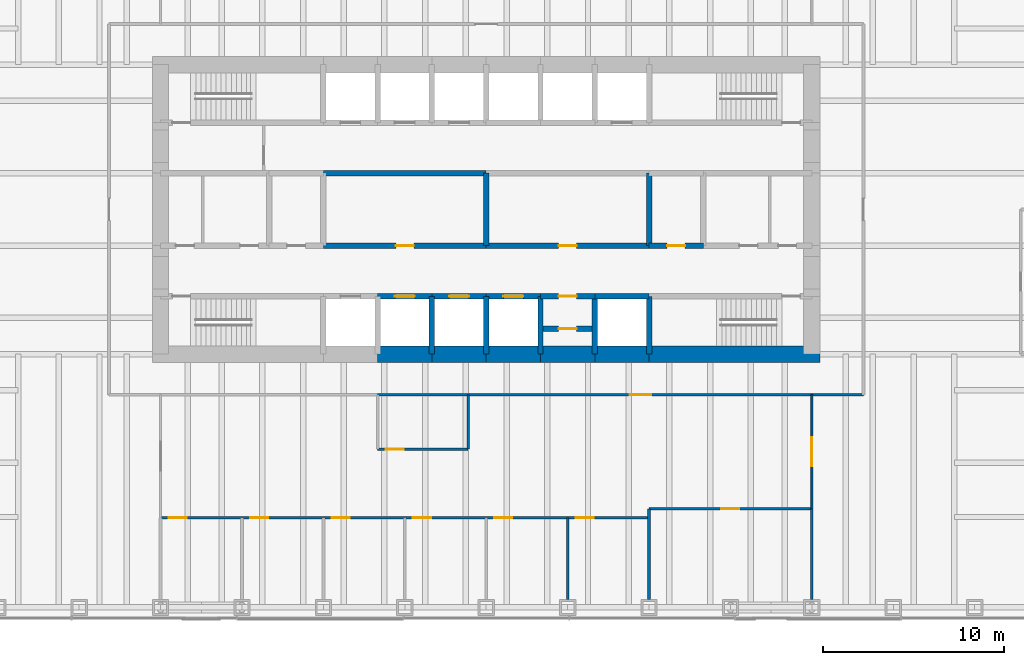
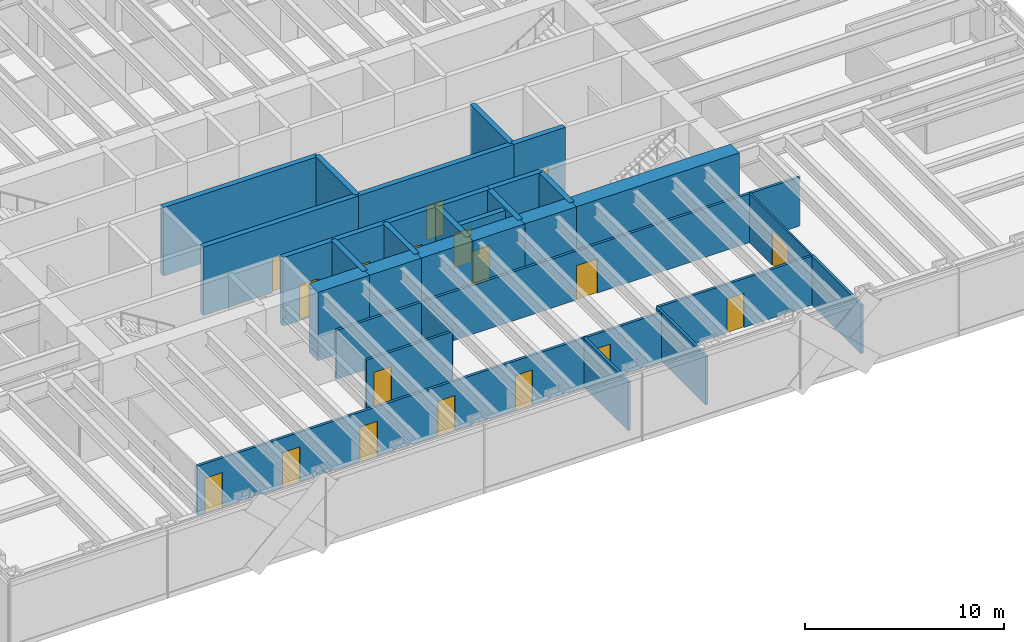
# One storey, part 12 of 15: 33 walls, 18 doors, 18 openings.
"""IFC4 building model written with IfcOpenShell, lengths in metres."""

from ifc_helpers import new_model, si_unit, direction, frame, frame_2d, origin, place, context, subcontext, project, spatial, rectangle, extrude, material, layer, layer_set, type_object, element, fill, save


model = new_model("IFC4")

# Units and contexts
model_context = context("Model", 3, precision=1e-05, world=origin(), true_north=direction((0.0, 1.0)))
body_context = subcontext(model_context, "Body", "Model", "MODEL_VIEW")
ifc_project = project(units=[si_unit("LENGTHUNIT", "METRE"), si_unit("AREAUNIT", "SQUARE_METRE"), si_unit("VOLUMEUNIT", "CUBIC_METRE"), si_unit("PLANEANGLEUNIT", "RADIAN"), si_unit("MASSUNIT", "GRAM", prefix="KILO")], contexts=[model_context])

# Site, building, storey
site_placement = place(None, origin())
site = spatial("IfcSite", under=ifc_project, at=site_placement, CompositionType="ELEMENT")
building_placement = place(site_placement, origin())
building = spatial("IfcBuilding", under=site, at=building_placement, Name="Rheinbord Bourse Tower", CompositionType="ELEMENT")
storey_placement = place(building_placement, frame((0.0, 0.0, 108.89990234375)))
storey = spatial("IfcBuildingStorey", under=building, at=storey_placement, Name="L23", CompositionType="ELEMENT", Elevation=108.89990234375)

# Wall, opening, door
ifc_material_1 = material(Name="Concrete C50/60", Category="concrete")
ifc_layer_1 = layer(ifc_material_1, 0.300048828125)
ifc_layer_set_1 = layer_set([ifc_layer_1], Name="CORE INNER WALL 300")
wall_type_1 = type_object("IfcWallType", Name="CORE INNER WALL 300", PredefinedType="SOLIDWALL", material=ifc_layer_set_1)
wall_1_placement = place(storey_placement, frame((30.0, 19.199951171875, 0.0), z_axis=(0.0, 0.0, 1.0), x_axis=(1.0, 0.0, 0.0)))
wall_1 = element("IfcWall", 1, at=wall_1_placement, inside=storey, type_object=wall_type_1, Name="Core wall A3 L23", PredefinedType="SOLIDWALL", context=body_context, shape_type="SweptSolid", body=[
    extrude(rectangle(XDim=3.0, YDim=0.300048828125, at=frame_2d((1.5, 0.0))), origin(), (0.0, 0.0, 1.0), 4.2001953125),
])
opening_1_placement = place(wall_1_placement, frame((0.949951171875, 0.0, 0.0)))
opening_1 = element("IfcOpeningElement", 2, at=opening_1_placement, cuts=wall_1, Name="Opening PB1", PredefinedType="OPENING", context=body_context, shape_type="SweptSolid", body=[
    extrude(rectangle(XDim=1.10009765625, YDim=2.199951171875, at=frame_2d((0.550048828125, 1.10009765625))), frame((0.0, 0.159912109375, 0.0), z_axis=(0.0, -1.0, 0.0), x_axis=(1.0, 0.0, 0.0)), (0.0, 0.0, 1.0), 0.320068359375),
])
ifc_material_2 = material(Name="Steel landing door", Category="steel")
door_type_1 = type_object("IfcDoorType", Name="LIFT LANDING DOOR 1100", OperationType="DOUBLE_DOOR_SLIDING", PredefinedType="USERDEFINED", material=ifc_material_2)
door_1_placement = place(opening_1_placement, origin())
door_1 = element("IfcDoor", 3, at=door_1_placement, inside=storey, type_object=door_type_1, Name="Lift landing door PB1 L23", ObjectType="LIFT LANDING DOOR", OperationType="DOUBLE_DOOR_SLIDING", OverallHeight=2.199951171875, OverallWidth=1.10009765625, PredefinedType="USERDEFINED", context=body_context, shape_type="SweptSolid", body=[
    extrude(rectangle(XDim=1.10009765625, YDim=2.199951171875, at=frame_2d((0.550048828125, 1.10009765625))), frame((0.0, 0.02490234375, 0.0), z_axis=(0.0, -1.0, 0.0), x_axis=(1.0, 0.0, 0.0)), (0.0, 0.0, 1.0), 0.050048828125),
])
fill(opening_1, door_1)

wall_2_placement = place(storey_placement, frame((33.0, 19.199951171875, 0.0), z_axis=(0.0, 0.0, 1.0), x_axis=(1.0, 0.0, 0.0)))
wall_2 = element("IfcWall", 4, at=wall_2_placement, inside=storey, type_object=wall_type_1, Name="Core wall A4 L23", PredefinedType="SOLIDWALL", context=body_context, shape_type="SweptSolid", body=[
    extrude(rectangle(XDim=3.0, YDim=0.300048828125, at=frame_2d((1.5, 0.0))), origin(), (0.0, 0.0, 1.0), 4.2001953125),
])
opening_2_placement = place(wall_2_placement, frame((0.949951171875, 0.0, 0.0)))
opening_2 = element("IfcOpeningElement", 5, at=opening_2_placement, cuts=wall_2, Name="Opening PB2", PredefinedType="OPENING", context=body_context, shape_type="SweptSolid", body=[
    extrude(rectangle(XDim=1.10009765625, YDim=2.199951171875, at=frame_2d((0.550048828125, 1.10009765625))), frame((0.0, 0.159912109375, 0.0), z_axis=(0.0, -1.0, 0.0), x_axis=(1.0, 0.0, 0.0)), (0.0, 0.0, 1.0), 0.320068359375),
])
door_2_placement = place(opening_2_placement, origin())
door_2 = element("IfcDoor", 6, at=door_2_placement, inside=storey, type_object=door_type_1, Name="Lift landing door PB2 L23", ObjectType="LIFT LANDING DOOR", OperationType="DOUBLE_DOOR_SLIDING", OverallHeight=2.199951171875, OverallWidth=1.10009765625, PredefinedType="USERDEFINED", context=body_context, shape_type="SweptSolid", body=[
    extrude(rectangle(XDim=1.10009765625, YDim=2.199951171875, at=frame_2d((0.550048828125, 1.10009765625))), frame((0.0, 0.02490234375, 0.0), z_axis=(0.0, -1.0, 0.0), x_axis=(1.0, 0.0, 0.0)), (0.0, 0.0, 1.0), 0.050048828125),
])
fill(opening_2, door_2)

wall_3_placement = place(storey_placement, frame((36.0, 19.199951171875, 0.0), z_axis=(0.0, 0.0, 1.0), x_axis=(1.0, 0.0, 0.0)))
wall_3 = element("IfcWall", 7, at=wall_3_placement, inside=storey, type_object=wall_type_1, Name="Core wall A5 L23", PredefinedType="SOLIDWALL", context=body_context, shape_type="SweptSolid", body=[
    extrude(rectangle(XDim=3.0, YDim=0.300048828125, at=frame_2d((1.5, 0.0))), origin(), (0.0, 0.0, 1.0), 4.2001953125),
])
opening_3_placement = place(wall_3_placement, frame((0.949951171875, 0.0, 0.0)))
opening_3 = element("IfcOpeningElement", 8, at=opening_3_placement, cuts=wall_3, Name="Opening PB3", PredefinedType="OPENING", context=body_context, shape_type="SweptSolid", body=[
    extrude(rectangle(XDim=1.10009765625, YDim=2.199951171875, at=frame_2d((0.550048828125, 1.10009765625))), frame((0.0, 0.159912109375, 0.0), z_axis=(0.0, -1.0, 0.0), x_axis=(1.0, 0.0, 0.0)), (0.0, 0.0, 1.0), 0.320068359375),
])
door_3_placement = place(opening_3_placement, origin())
door_3 = element("IfcDoor", 9, at=door_3_placement, inside=storey, type_object=door_type_1, Name="Lift landing door PB3 L23", ObjectType="LIFT LANDING DOOR", OperationType="DOUBLE_DOOR_SLIDING", OverallHeight=2.199951171875, OverallWidth=1.10009765625, PredefinedType="USERDEFINED", context=body_context, shape_type="SweptSolid", body=[
    extrude(rectangle(XDim=1.10009765625, YDim=2.199951171875, at=frame_2d((0.550048828125, 1.10009765625))), frame((0.0, 0.02490234375, 0.0), z_axis=(0.0, -1.0, 0.0), x_axis=(1.0, 0.0, 0.0)), (0.0, 0.0, 1.0), 0.050048828125),
])
fill(opening_3, door_3)

wall_4_placement = place(storey_placement, frame((39.0, 19.199951171875, 0.0), z_axis=(0.0, 0.0, 1.0), x_axis=(1.0, 0.0, 0.0)))
wall_4 = element("IfcWall", 10, at=wall_4_placement, inside=storey, type_object=wall_type_1, Name="Core wall A6 L23", PredefinedType="SOLIDWALL", context=body_context, shape_type="SweptSolid", body=[
    extrude(rectangle(XDim=3.0, YDim=0.300048828125, at=frame_2d((1.5, 0.0))), origin(), (0.0, 0.0, 1.0), 4.2001953125),
])
opening_4_placement = place(wall_4_placement, frame((1.0, 0.0, 0.0)))
opening_4 = element("IfcOpeningElement", 11, at=opening_4_placement, cuts=wall_4, Name="Opening 23R8", PredefinedType="OPENING", context=body_context, shape_type="SweptSolid", body=[
    extrude(rectangle(XDim=1.0, YDim=2.10009765625, at=frame_2d((0.5, 1.050048828125))), frame((0.0, 0.159912109375, 0.0), z_axis=(0.0, -1.0, 0.0), x_axis=(1.0, 0.0, 0.0)), (0.0, 0.0, 1.0), 0.320068359375),
])
ifc_material_3 = material(Name="Steel door", Category="steel")
door_type_2 = type_object("IfcDoorType", Name="DOOR 1000 EI30", OperationType="SINGLE_SWING_LEFT", PredefinedType="DOOR", material=ifc_material_3)
door_4_placement = place(opening_4_placement, origin())
door_4 = element("IfcDoor", 12, at=door_4_placement, inside=storey, type_object=door_type_2, Name="IT room door L23", OperationType="SINGLE_SWING_LEFT", OverallHeight=2.10009765625, OverallWidth=1.0, PredefinedType="DOOR", context=body_context, shape_type="SweptSolid", body=[
    extrude(rectangle(XDim=1.0, YDim=2.10009765625, at=frame_2d((0.5, 1.050048828125))), frame((0.0, 0.02490234375, 0.0), z_axis=(0.0, -1.0, 0.0), x_axis=(1.0, 0.0, 0.0)), (0.0, 0.0, 1.0), 0.050048828125),
])
fill(opening_4, door_4)

# Wall
wall_5_placement = place(storey_placement, frame((42.0, 19.199951171875, 0.0), z_axis=(0.0, 0.0, 1.0), x_axis=(1.0, 0.0, 0.0)))
element("IfcWall", 13, at=wall_5_placement, inside=storey, type_object=wall_type_1, Name="Core wall A7 L23", PredefinedType="SOLIDWALL", context=body_context, shape_type="SweptSolid", body=[
    extrude(rectangle(XDim=3.0, YDim=0.300048828125, at=frame_2d((1.5, 0.0))), origin(), (0.0, 0.0, 1.0), 4.2001953125),
])

# Wall, opening, door
wall_6_placement = place(storey_placement, frame((27.0, 22.0, 0.0), z_axis=(0.0, 0.0, 1.0), x_axis=(1.0, 0.0, 0.0)))
wall_6 = element("IfcWall", 14, at=wall_6_placement, inside=storey, type_object=wall_type_1, Name="Core wall C3 L23", PredefinedType="SOLIDWALL", context=body_context, shape_type="SweptSolid", body=[
    extrude(rectangle(XDim=9.0, YDim=0.300048828125, at=frame_2d((4.5, 0.0))), origin(), (0.0, 0.0, 1.0), 4.2001953125),
])
opening_5_placement = place(wall_6_placement, frame((4.0, 0.0, 0.0)))
opening_5 = element("IfcOpeningElement", 15, at=opening_5_placement, cuts=wall_6, Name="Opening 23R3", PredefinedType="OPENING", context=body_context, shape_type="SweptSolid", body=[
    extrude(rectangle(XDim=1.0, YDim=2.10009765625, at=frame_2d((0.5, 1.050048828125))), frame((0.0, 0.159912109375, 0.0), z_axis=(0.0, -1.0, 0.0), x_axis=(1.0, 0.0, 0.0)), (0.0, 0.0, 1.0), 0.320068359375),
])
door_5_placement = place(opening_5_placement, origin())
door_5 = element("IfcDoor", 16, at=door_5_placement, inside=storey, type_object=door_type_2, Name="Riser door L23", OperationType="SINGLE_SWING_LEFT", OverallHeight=2.10009765625, OverallWidth=1.0, PredefinedType="DOOR", context=body_context, shape_type="SweptSolid", body=[
    extrude(rectangle(XDim=1.0, YDim=2.10009765625, at=frame_2d((0.5, 1.050048828125))), frame((0.0, 0.02490234375, 0.0), z_axis=(0.0, -1.0, 0.0), x_axis=(1.0, 0.0, 0.0)), (0.0, 0.0, 1.0), 0.050048828125),
])
fill(opening_5, door_5)

wall_7_placement = place(storey_placement, frame((36.0, 22.0, 0.0), z_axis=(0.0, 0.0, 1.0), x_axis=(1.0, 0.0, 0.0)))
wall_7 = element("IfcWall", 17, at=wall_7_placement, inside=storey, type_object=wall_type_1, Name="Core wall C4 L23", PredefinedType="SOLIDWALL", context=body_context, shape_type="SweptSolid", body=[
    extrude(rectangle(XDim=9.0, YDim=0.300048828125, at=frame_2d((4.5, 0.0))), origin(), (0.0, 0.0, 1.0), 4.2001953125),
])
opening_6_placement = place(wall_7_placement, frame((4.0, 0.0, 0.0)))
opening_6 = element("IfcOpeningElement", 18, at=opening_6_placement, cuts=wall_7, Name="Opening 23R4", PredefinedType="OPENING", context=body_context, shape_type="SweptSolid", body=[
    extrude(rectangle(XDim=1.0, YDim=2.10009765625, at=frame_2d((0.5, 1.050048828125))), frame((0.0, 0.159912109375, 0.0), z_axis=(0.0, -1.0, 0.0), x_axis=(1.0, 0.0, 0.0)), (0.0, 0.0, 1.0), 0.320068359375),
])
door_6_placement = place(opening_6_placement, origin())
door_6 = element("IfcDoor", 19, at=door_6_placement, inside=storey, type_object=door_type_2, Name="Store door L23", OperationType="SINGLE_SWING_LEFT", OverallHeight=2.10009765625, OverallWidth=1.0, PredefinedType="DOOR", context=body_context, shape_type="SweptSolid", body=[
    extrude(rectangle(XDim=1.0, YDim=2.10009765625, at=frame_2d((0.5, 1.050048828125))), frame((0.0, 0.02490234375, 0.0), z_axis=(0.0, -1.0, 0.0), x_axis=(1.0, 0.0, 0.0)), (0.0, 0.0, 1.0), 0.050048828125),
])
fill(opening_6, door_6)

wall_8_placement = place(storey_placement, frame((45.0, 22.0, 0.0), z_axis=(0.0, 0.0, 1.0), x_axis=(1.0, 0.0, 0.0)))
wall_8 = element("IfcWall", 20, at=wall_8_placement, inside=storey, type_object=wall_type_1, Name="Core wall C5 L23", PredefinedType="SOLIDWALL", context=body_context, shape_type="SweptSolid", body=[
    extrude(rectangle(XDim=3.0, YDim=0.300048828125, at=frame_2d((1.5, 0.0))), origin(), (0.0, 0.0, 1.0), 4.2001953125),
])
opening_7_placement = place(wall_8_placement, frame((1.0, 0.0, 0.0)))
opening_7 = element("IfcOpeningElement", 21, at=opening_7_placement, cuts=wall_8, Name="Opening 23R5", PredefinedType="OPENING", context=body_context, shape_type="SweptSolid", body=[
    extrude(rectangle(XDim=1.0, YDim=2.10009765625, at=frame_2d((0.5, 1.050048828125))), frame((0.0, 0.159912109375, 0.0), z_axis=(0.0, -1.0, 0.0), x_axis=(1.0, 0.0, 0.0)), (0.0, 0.0, 1.0), 0.320068359375),
])
ifc_material_4 = material(Name="Timber door", Category="wood")
door_type_3 = type_object("IfcDoorType", Name="DOOR 1000 WC", OperationType="SINGLE_SWING_LEFT", PredefinedType="DOOR", material=ifc_material_4)
door_7_placement = place(opening_7_placement, origin())
door_7 = element("IfcDoor", 22, at=door_7_placement, inside=storey, type_object=door_type_3, Name="Accessible WC door L23", OperationType="SINGLE_SWING_LEFT", OverallHeight=2.10009765625, OverallWidth=1.0, PredefinedType="DOOR", context=body_context, shape_type="SweptSolid", body=[
    extrude(rectangle(XDim=1.0, YDim=2.10009765625, at=frame_2d((0.5, 1.050048828125))), frame((0.0, 0.02490234375, 0.0), z_axis=(0.0, -1.0, 0.0), x_axis=(1.0, 0.0, 0.0)), (0.0, 0.0, 1.0), 0.050048828125),
])
fill(opening_7, door_7)

# Walls
wall_9_placement = place(storey_placement, frame((27.0, 26.0, 0.0), z_axis=(0.0, 0.0, 1.0), x_axis=(1.0, 0.0, 0.0)))
element("IfcWall", 23, at=wall_9_placement, inside=storey, type_object=wall_type_1, Name="Core wall D3 L23", PredefinedType="SOLIDWALL", context=body_context, shape_type="SweptSolid", body=[
    extrude(rectangle(XDim=9.0, YDim=0.300048828125, at=frame_2d((4.5, 0.0))), origin(), (0.0, 0.0, 1.0), 4.2001953125),
])
for number, where, z_axis, x_axis, name in (
    (24, (33.0, 16.0, 0.0), (0.0, 0.0, 1.0), (0.0, 1.0, 0.0), "Core wall SX33 L23"),
    (25, (36.0, 16.0, 0.0), (0.0, 0.0, 1.0), (0.0, 1.0, 0.0), "Core wall SX36 L23"),
    (26, (39.0, 16.0, 0.0), (0.0, 0.0, 1.0), (0.0, 1.0, 0.0), "Core wall SX39 L23"),
    (27, (42.0, 16.0, 0.0), (0.0, 0.0, 1.0), (0.0, 1.0, 0.0), "Core wall SX42 L23"),
    (28, (45.0, 16.0, 0.0), (0.0, 0.0, 1.0), (0.0, 1.0, 0.0), "Core wall SX45 L23"),
):
    element("IfcWall", number, at=place(storey_placement, frame(where, z_axis=z_axis, x_axis=x_axis)), inside=storey, type_object=wall_type_1, Name=name, PredefinedType="SOLIDWALL", context=body_context, shape_type="SweptSolid", body=[
        extrude(rectangle(XDim=3.199951171875, YDim=0.300048828125, at=frame_2d((1.60009765625, 0.0))), origin(), (0.0, 0.0, 1.0), 4.2001953125),
    ])
for number, where, z_axis, x_axis, name in (
    (29, (36.0, 22.0, 0.0), (0.0, 0.0, 1.0), (0.0, 1.0, 0.0), "Core wall MX36 L23"),
    (30, (45.0, 22.0, 0.0), (0.0, 0.0, 1.0), (0.0, 1.0, 0.0), "Core wall MX45 L23"),
):
    element("IfcWall", number, at=place(storey_placement, frame(where, z_axis=z_axis, x_axis=x_axis)), inside=storey, type_object=wall_type_1, Name=name, PredefinedType="SOLIDWALL", context=body_context, shape_type="SweptSolid", body=[
        extrude(rectangle(XDim=4.0, YDim=0.300048828125, at=frame_2d((2.0, 0.0))), origin(), (0.0, 0.0, 1.0), 4.2001953125),
    ])

# Wall, opening, door
wall_10_placement = place(storey_placement, frame((39.14990234375, 17.39990234375, 0.0), z_axis=(0.0, 0.0, 1.0), x_axis=(1.0, 0.0, 0.0)))
wall_10 = element("IfcWall", 31, at=wall_10_placement, inside=storey, type_object=wall_type_1, Name="Core riser wall L23-6", PredefinedType="SOLIDWALL", context=body_context, shape_type="SweptSolid", body=[
    extrude(rectangle(XDim=2.7001953125, YDim=0.300048828125, at=frame_2d((1.35009765625, 0.0))), origin(), (0.0, 0.0, 1.0), 4.0400390625),
])
opening_8_placement = place(wall_10_placement, frame((0.85009765625, 0.0, 0.0)))
opening_8 = element("IfcOpeningElement", 32, at=opening_8_placement, cuts=wall_10, Name="Opening 23R12", PredefinedType="OPENING", context=body_context, shape_type="SweptSolid", body=[
    extrude(rectangle(XDim=1.0, YDim=2.10009765625, at=frame_2d((0.5, 1.050048828125))), frame((0.0, 0.159912109375, 0.0), z_axis=(0.0, -1.0, 0.0), x_axis=(1.0, 0.0, 0.0)), (0.0, 0.0, 1.0), 0.320068359375),
])
door_8_placement = place(opening_8_placement, origin())
door_8 = element("IfcDoor", 33, at=door_8_placement, inside=storey, type_object=door_type_2, Name="Comms riser door L23", OperationType="SINGLE_SWING_LEFT", OverallHeight=2.10009765625, OverallWidth=1.0, PredefinedType="DOOR", context=body_context, shape_type="SweptSolid", body=[
    extrude(rectangle(XDim=1.0, YDim=2.10009765625, at=frame_2d((0.5, 1.050048828125))), frame((0.0, 0.02490234375, 0.0), z_axis=(0.0, -1.0, 0.0), x_axis=(1.0, 0.0, 0.0)), (0.0, 0.0, 1.0), 0.050048828125),
])
fill(opening_8, door_8)

# Walls
ifc_material_5 = material(Name="Concrete C50/60", Category="concrete")
ifc_layer_2 = layer(ifc_material_5, 0.89990234375)
ifc_layer_set_2 = layer_set([ifc_layer_2], Name="CORE WALL 900")
wall_type_2 = type_object("IfcWallType", Name="CORE WALL 900", PredefinedType="SHEAR", material=ifc_layer_set_2)
for number, where, z_axis, x_axis, name in (
    (34, (30.0, 16.0, 0.0), (0.0, 0.0, 1.0), (1.0, 0.0, 0.0), "Core wall S3 L23"),
    (35, (33.0, 16.0, 0.0), (0.0, 0.0, 1.0), (1.0, 0.0, 0.0), "Core wall S4 L23"),
    (36, (36.0, 16.0, 0.0), (0.0, 0.0, 1.0), (1.0, 0.0, 0.0), "Core wall S5 L23"),
    (37, (39.0, 16.0, 0.0), (0.0, 0.0, 1.0), (1.0, 0.0, 0.0), "Core wall S6 L23"),
    (38, (42.0, 16.0, 0.0), (0.0, 0.0, 1.0), (1.0, 0.0, 0.0), "Core wall S7 L23"),
):
    element("IfcWall", number, at=place(storey_placement, frame(where, z_axis=z_axis, x_axis=x_axis)), inside=storey, type_object=wall_type_2, Name=name, PredefinedType="SHEAR", context=body_context, shape_type="SweptSolid", body=[
        extrude(rectangle(XDim=3.0, YDim=0.89990234375, at=frame_2d((1.5, 0.0))), origin(), (0.0, 0.0, 1.0), 4.2001953125),
    ])
wall_11_placement = place(storey_placement, frame((45.0, 16.0, 0.0), z_axis=(0.0, 0.0, 1.0), x_axis=(1.0, 0.0, 0.0)))
element("IfcWall", 39, at=wall_11_placement, inside=storey, type_object=wall_type_2, Name="Core wall S8 L23", PredefinedType="SHEAR", context=body_context, shape_type="SweptSolid", body=[
    extrude(rectangle(XDim=9.449951171875, YDim=0.89990234375, at=frame_2d((4.72509765625, 0.0))), origin(), (0.0, 0.0, 1.0), 4.2001953125),
])

# Wall, opening, door
ifc_material_6 = material(Name="Gypsum board corridor partition", Category="gypsum board")
ifc_layer_3 = layer(ifc_material_6, 0.14990234375)
ifc_layer_set_3 = layer_set([ifc_layer_3], Name="CORRIDOR PARTITION 150 EI30")
wall_type_3 = type_object("IfcWallType", Name="CORRIDOR PARTITION 150 EI30", PredefinedType="PARTITIONING", material=ifc_layer_set_3)
wall_12_placement = place(storey_placement, frame((35.0, 13.75, 0.0), z_axis=(0.0, 0.0, 1.0), x_axis=(1.0, 0.0, 0.0)))
wall_12 = element("IfcWall", 40, at=wall_12_placement, inside=storey, type_object=wall_type_3, Name="Partition L23-06", PredefinedType="PARTITIONING", context=body_context, shape_type="SweptSolid", body=[
    extrude(rectangle(XDim=21.85009765625, YDim=0.14990234375, at=frame_2d((10.925048828125, 0.0))), origin(), (0.0, 0.0, 1.0), 3.0),
])
opening_9_placement = place(wall_12_placement, frame((8.925048828125, 0.0, 0.0)))
opening_9 = element("IfcOpeningElement", 41, at=opening_9_placement, cuts=wall_12, Name="Opening 23D26", PredefinedType="OPENING", context=body_context, shape_type="SweptSolid", body=[
    extrude(rectangle(XDim=1.199951171875, YDim=2.10009765625, at=frame_2d((0.60009765625, 1.050048828125))), frame((0.0, 0.0849609375, 0.0), z_axis=(0.0, -1.0, 0.0), x_axis=(1.0, 0.0, 0.0)), (0.0, 0.0, 1.0), 0.169921875),
])
ifc_material_7 = material(Name="Timber fire door", Category="wood")
door_type_4 = type_object("IfcDoorType", Name="SUITE ENTRANCE DOOR 1200 EI30", OperationType="SINGLE_SWING_LEFT", PredefinedType="DOOR", material=ifc_material_7)
door_9_placement = place(opening_9_placement, origin())
door_9 = element("IfcDoor", 42, at=door_9_placement, inside=storey, type_object=door_type_4, Name="Suite entrance 3 door L23", OperationType="SINGLE_SWING_LEFT", OverallHeight=2.10009765625, OverallWidth=1.199951171875, PredefinedType="DOOR", context=body_context, shape_type="SweptSolid", body=[
    extrude(rectangle(XDim=1.199951171875, YDim=2.10009765625, at=frame_2d((0.60009765625, 1.050048828125))), frame((0.0, 0.02490234375, 0.0), z_axis=(0.0, -1.0, 0.0), x_axis=(1.0, 0.0, 0.0)), (0.0, 0.0, 1.0), 0.050048828125),
])
fill(opening_9, door_9)

ifc_material_8 = material(Name="Gypsum board fire partition", Category="gypsum board")
ifc_layer_4 = layer(ifc_material_8, 0.14990234375)
ifc_layer_set_4 = layer_set([ifc_layer_4], Name="FIRE PARTITION 150 EI60")
wall_type_4 = type_object("IfcWallType", Name="FIRE PARTITION 150 EI60", PredefinedType="PARTITIONING", material=ifc_layer_set_4)
wall_13_placement = place(storey_placement, frame((30.0, 10.75, 0.0), z_axis=(0.0, 0.0, 1.0), x_axis=(1.0, 0.0, 0.0)))
wall_13 = element("IfcWall", 43, at=wall_13_placement, inside=storey, type_object=wall_type_4, Name="Partition L23-03", PredefinedType="PARTITIONING", context=body_context, shape_type="SweptSolid", body=[
    extrude(rectangle(XDim=5.0, YDim=0.14990234375, at=frame_2d((2.5, 0.0))), origin(), (0.0, 0.0, 1.0), 3.0),
])
opening_10_placement = place(wall_13_placement, frame((0.449951171875, 0.0, 0.0)))
opening_10 = element("IfcOpeningElement", 44, at=opening_10_placement, cuts=wall_13, Name="Opening 23D08", PredefinedType="OPENING", context=body_context, shape_type="SweptSolid", body=[
    extrude(rectangle(XDim=1.0, YDim=2.10009765625, at=frame_2d((0.5, 1.050048828125))), frame((0.0, 0.0849609375, 0.0), z_axis=(0.0, -1.0, 0.0), x_axis=(1.0, 0.0, 0.0)), (0.0, 0.0, 1.0), 0.169921875),
])
ifc_material_9 = material(Name="Timber fire door", Category="wood")
door_type_5 = type_object("IfcDoorType", Name="FIRE DOOR 1000 EI60", OperationType="SINGLE_SWING_LEFT", PredefinedType="DOOR", material=ifc_material_9)
door_10_placement = place(opening_10_placement, origin())
door_10 = element("IfcDoor", 45, at=door_10_placement, inside=storey, type_object=door_type_5, Name="Comms room door L23", OperationType="SINGLE_SWING_LEFT", OverallHeight=2.10009765625, OverallWidth=1.0, PredefinedType="DOOR", context=body_context, shape_type="SweptSolid", body=[
    extrude(rectangle(XDim=1.0, YDim=2.10009765625, at=frame_2d((0.5, 1.050048828125))), frame((0.0, 0.02490234375, 0.0), z_axis=(0.0, -1.0, 0.0), x_axis=(1.0, 0.0, 0.0)), (0.0, 0.0, 1.0), 0.050048828125),
])
fill(opening_10, door_10)

# Walls
wall_14_placement = place(storey_placement, frame((30.0, 13.75, 0.0), z_axis=(0.0, 0.0, 1.0), x_axis=(1.0, 0.0, 0.0)))
element("IfcWall", 46, at=wall_14_placement, inside=storey, type_object=wall_type_4, Name="Partition L23-05", PredefinedType="PARTITIONING", context=body_context, shape_type="SweptSolid", body=[
    extrude(rectangle(XDim=5.0, YDim=0.14990234375, at=frame_2d((2.5, 0.0))), origin(), (0.0, 0.0, 1.0), 3.0),
])
wall_15_placement = place(storey_placement, frame((35.0, 10.75, 0.0), z_axis=(0.0, 0.0, 1.0), x_axis=(0.0, 1.0, 0.0)))
element("IfcWall", 47, at=wall_15_placement, inside=storey, type_object=wall_type_4, Name="Partition L23-29", PredefinedType="PARTITIONING", context=body_context, shape_type="SweptSolid", body=[
    extrude(rectangle(XDim=3.0, YDim=0.14990234375, at=frame_2d((1.5, 0.0))), origin(), (0.0, 0.0, 1.0), 3.0),
])

# Wall, opening, door
ifc_material_10 = material(Name="Toughened laminated glass partition", Category="glass")
ifc_layer_5 = layer(ifc_material_10, 0.10009765625)
ifc_layer_set_5 = layer_set([ifc_layer_5], Name="GLAZED PARTITION 100")
wall_type_5 = type_object("IfcWallType", Name="GLAZED PARTITION 100", PredefinedType="PARTITIONING", material=ifc_layer_set_5)
wall_16_placement = place(storey_placement, frame((54.0, 7.449951171875, 0.0), z_axis=(0.0, 0.0, 1.0), x_axis=(0.0, 1.0, 0.0)))
wall_16 = element("IfcWall", 48, at=wall_16_placement, inside=storey, type_object=wall_type_5, Name="Partition L23-38", PredefinedType="PARTITIONING", context=body_context, shape_type="SweptSolid", body=[
    extrude(rectangle(XDim=6.300048828125, YDim=0.10009765625, at=frame_2d((3.14990234375, 0.0))), origin(), (0.0, 0.0, 1.0), 3.0),
])
opening_11_placement = place(wall_16_placement, frame((2.35009765625, 0.0, 0.0)))
opening_11 = element("IfcOpeningElement", 49, at=opening_11_placement, cuts=wall_16, Name="Opening 23D22", PredefinedType="OPENING", context=body_context, shape_type="SweptSolid", body=[
    extrude(rectangle(XDim=1.60009765625, YDim=2.10009765625, at=frame_2d((0.800048828125, 1.050048828125))), frame((0.0, 0.06005859375, 0.0), z_axis=(0.0, -1.0, 0.0), x_axis=(1.0, 0.0, 0.0)), (0.0, 0.0, 1.0), 0.1201171875),
])
ifc_material_11 = material(Name="Timber door", Category="wood")
door_type_6 = type_object("IfcDoorType", Name="DOUBLE ROOM DOOR 1600", OperationType="DOUBLE_DOOR_DOUBLE_SWING", PredefinedType="DOOR", material=ifc_material_11)
door_11_placement = place(opening_11_placement, origin())
door_11 = element("IfcDoor", 50, at=door_11_placement, inside=storey, type_object=door_type_6, Name="Open area door L23", OperationType="SINGLE_SWING_LEFT", OverallHeight=2.10009765625, OverallWidth=1.60009765625, PredefinedType="DOOR", context=body_context, shape_type="SweptSolid", body=[
    extrude(rectangle(XDim=1.60009765625, YDim=2.10009765625, at=frame_2d((0.800048828125, 1.050048828125))), frame((0.0, 0.02490234375, 0.0), z_axis=(0.0, -1.0, 0.0), x_axis=(1.0, 0.0, 0.0)), (0.0, 0.0, 1.0), 0.050048828125),
])
fill(opening_11, door_11)

# Wall, openings, doors
ifc_material_12 = material(Name="Gypsum board partition", Category="gypsum board")
ifc_layer_6 = layer(ifc_material_12, 0.14990234375)
ifc_layer_set_6 = layer_set([ifc_layer_6], Name="PARTITION 150")
wall_type_6 = type_object("IfcWallType", Name="PARTITION 150", PredefinedType="PARTITIONING", material=ifc_layer_set_6)
wall_17_placement = place(storey_placement, frame((18.0, 6.949951171875, 0.0), z_axis=(0.0, 0.0, 1.0), x_axis=(1.0, 0.0, 0.0)))
wall_17 = element("IfcWall", 51, at=wall_17_placement, inside=storey, type_object=wall_type_6, Name="Partition L23-01", PredefinedType="PARTITIONING", context=body_context, shape_type="SweptSolid", body=[
    extrude(rectangle(XDim=27.0, YDim=0.14990234375, at=frame_2d((13.5, 0.0))), origin(), (0.0, 0.0, 1.0), 3.0),
])
opening_12_placement = place(wall_17_placement, frame((0.449951171875, 0.0, 0.0)))
opening_12 = element("IfcOpeningElement", 52, at=opening_12_placement, cuts=wall_17, Name="Opening 23D01", PredefinedType="OPENING", context=body_context, shape_type="SweptSolid", body=[
    extrude(rectangle(XDim=1.0, YDim=2.10009765625, at=frame_2d((0.5, 1.050048828125))), frame((0.0, 0.0849609375, 0.0), z_axis=(0.0, -1.0, 0.0), x_axis=(1.0, 0.0, 0.0)), (0.0, 0.0, 1.0), 0.169921875),
])
opening_13_placement = place(wall_17_placement, frame((4.949951171875, 0.0, 0.0)))
opening_13 = element("IfcOpeningElement", 53, at=opening_13_placement, cuts=wall_17, Name="Opening 23D02", PredefinedType="OPENING", context=body_context, shape_type="SweptSolid", body=[
    extrude(rectangle(XDim=1.0, YDim=2.10009765625, at=frame_2d((0.5, 1.050048828125))), frame((0.0, 0.0849609375, 0.0), z_axis=(0.0, -1.0, 0.0), x_axis=(1.0, 0.0, 0.0)), (0.0, 0.0, 1.0), 0.169921875),
])
opening_14_placement = place(wall_17_placement, frame((9.449951171875, 0.0, 0.0)))
opening_14 = element("IfcOpeningElement", 54, at=opening_14_placement, cuts=wall_17, Name="Opening 23D03", PredefinedType="OPENING", context=body_context, shape_type="SweptSolid", body=[
    extrude(rectangle(XDim=1.0, YDim=2.10009765625, at=frame_2d((0.5, 1.050048828125))), frame((0.0, 0.0849609375, 0.0), z_axis=(0.0, -1.0, 0.0), x_axis=(1.0, 0.0, 0.0)), (0.0, 0.0, 1.0), 0.169921875),
])
opening_15_placement = place(wall_17_placement, frame((13.949951171875, 0.0, 0.0)))
opening_15 = element("IfcOpeningElement", 55, at=opening_15_placement, cuts=wall_17, Name="Opening 23D04", PredefinedType="OPENING", context=body_context, shape_type="SweptSolid", body=[
    extrude(rectangle(XDim=1.0, YDim=2.10009765625, at=frame_2d((0.5, 1.050048828125))), frame((0.0, 0.0849609375, 0.0), z_axis=(0.0, -1.0, 0.0), x_axis=(1.0, 0.0, 0.0)), (0.0, 0.0, 1.0), 0.169921875),
])
opening_16_placement = place(wall_17_placement, frame((18.449951171875, 0.0, 0.0)))
opening_16 = element("IfcOpeningElement", 56, at=opening_16_placement, cuts=wall_17, Name="Opening 23D05", PredefinedType="OPENING", context=body_context, shape_type="SweptSolid", body=[
    extrude(rectangle(XDim=1.0, YDim=2.10009765625, at=frame_2d((0.5, 1.050048828125))), frame((0.0, 0.0849609375, 0.0), z_axis=(0.0, -1.0, 0.0), x_axis=(1.0, 0.0, 0.0)), (0.0, 0.0, 1.0), 0.169921875),
])
opening_17_placement = place(wall_17_placement, frame((22.949951171875, 0.0, 0.0)))
opening_17 = element("IfcOpeningElement", 57, at=opening_17_placement, cuts=wall_17, Name="Opening 23D06", PredefinedType="OPENING", context=body_context, shape_type="SweptSolid", body=[
    extrude(rectangle(XDim=1.0, YDim=2.10009765625, at=frame_2d((0.5, 1.050048828125))), frame((0.0, 0.0849609375, 0.0), z_axis=(0.0, -1.0, 0.0), x_axis=(1.0, 0.0, 0.0)), (0.0, 0.0, 1.0), 0.169921875),
])
ifc_material_13 = material(Name="Timber door", Category="wood")
door_type_7 = type_object("IfcDoorType", Name="ROOM DOOR 1000", OperationType="SINGLE_SWING_LEFT", PredefinedType="DOOR", material=ifc_material_13)
door_12_placement = place(opening_12_placement, origin())
door_12 = element("IfcDoor", 58, at=door_12_placement, inside=storey, type_object=door_type_7, Name="Office door L23", OperationType="SINGLE_SWING_LEFT", OverallHeight=2.10009765625, OverallWidth=1.0, PredefinedType="DOOR", context=body_context, shape_type="SweptSolid", body=[
    extrude(rectangle(XDim=1.0, YDim=2.10009765625, at=frame_2d((0.5, 1.050048828125))), frame((0.0, 0.02490234375, 0.0), z_axis=(0.0, -1.0, 0.0), x_axis=(1.0, 0.0, 0.0)), (0.0, 0.0, 1.0), 0.050048828125),
])
fill(opening_12, door_12)
door_13_placement = place(opening_13_placement, origin())
door_13 = element("IfcDoor", 59, at=door_13_placement, inside=storey, type_object=door_type_7, Name="Office door L23", OperationType="SINGLE_SWING_LEFT", OverallHeight=2.10009765625, OverallWidth=1.0, PredefinedType="DOOR", context=body_context, shape_type="SweptSolid", body=[
    extrude(rectangle(XDim=1.0, YDim=2.10009765625, at=frame_2d((0.5, 1.050048828125))), frame((0.0, 0.02490234375, 0.0), z_axis=(0.0, -1.0, 0.0), x_axis=(1.0, 0.0, 0.0)), (0.0, 0.0, 1.0), 0.050048828125),
])
fill(opening_13, door_13)
door_14_placement = place(opening_14_placement, origin())
door_14 = element("IfcDoor", 60, at=door_14_placement, inside=storey, type_object=door_type_7, Name="Office door L23", OperationType="SINGLE_SWING_LEFT", OverallHeight=2.10009765625, OverallWidth=1.0, PredefinedType="DOOR", context=body_context, shape_type="SweptSolid", body=[
    extrude(rectangle(XDim=1.0, YDim=2.10009765625, at=frame_2d((0.5, 1.050048828125))), frame((0.0, 0.02490234375, 0.0), z_axis=(0.0, -1.0, 0.0), x_axis=(1.0, 0.0, 0.0)), (0.0, 0.0, 1.0), 0.050048828125),
])
fill(opening_14, door_14)
door_15_placement = place(opening_15_placement, origin())
door_15 = element("IfcDoor", 61, at=door_15_placement, inside=storey, type_object=door_type_7, Name="Office door L23", OperationType="SINGLE_SWING_RIGHT", OverallHeight=2.10009765625, OverallWidth=1.0, PredefinedType="DOOR", context=body_context, shape_type="SweptSolid", body=[
    extrude(rectangle(XDim=1.0, YDim=2.10009765625, at=frame_2d((0.5, 1.050048828125))), frame((0.0, 0.02490234375, 0.0), z_axis=(0.0, -1.0, 0.0), x_axis=(1.0, 0.0, 0.0)), (0.0, 0.0, 1.0), 0.050048828125),
])
fill(opening_15, door_15)
door_16_placement = place(opening_16_placement, origin())
door_16 = element("IfcDoor", 62, at=door_16_placement, inside=storey, type_object=door_type_7, Name="Office door L23", OperationType="SINGLE_SWING_RIGHT", OverallHeight=2.10009765625, OverallWidth=1.0, PredefinedType="DOOR", context=body_context, shape_type="SweptSolid", body=[
    extrude(rectangle(XDim=1.0, YDim=2.10009765625, at=frame_2d((0.5, 1.050048828125))), frame((0.0, 0.02490234375, 0.0), z_axis=(0.0, -1.0, 0.0), x_axis=(1.0, 0.0, 0.0)), (0.0, 0.0, 1.0), 0.050048828125),
])
fill(opening_16, door_16)
door_17_placement = place(opening_17_placement, origin())
door_17 = element("IfcDoor", 63, at=door_17_placement, inside=storey, type_object=door_type_7, Name="Office door L23", OperationType="SINGLE_SWING_RIGHT", OverallHeight=2.10009765625, OverallWidth=1.0, PredefinedType="DOOR", context=body_context, shape_type="SweptSolid", body=[
    extrude(rectangle(XDim=1.0, YDim=2.10009765625, at=frame_2d((0.5, 1.050048828125))), frame((0.0, 0.02490234375, 0.0), z_axis=(0.0, -1.0, 0.0), x_axis=(1.0, 0.0, 0.0)), (0.0, 0.0, 1.0), 0.050048828125),
])
fill(opening_17, door_17)

# Wall, opening, door
wall_18_placement = place(storey_placement, frame((45.0, 7.449951171875, 0.0), z_axis=(0.0, 0.0, 1.0), x_axis=(1.0, 0.0, 0.0)))
wall_18 = element("IfcWall", 64, at=wall_18_placement, inside=storey, type_object=wall_type_6, Name="Partition L23-02", PredefinedType="PARTITIONING", context=body_context, shape_type="SweptSolid", body=[
    extrude(rectangle(XDim=9.0, YDim=0.14990234375, at=frame_2d((4.5, 0.0))), origin(), (0.0, 0.0, 1.0), 3.0),
])
opening_18_placement = place(wall_18_placement, frame((4.0, 0.0, 0.0)))
opening_18 = element("IfcOpeningElement", 65, at=opening_18_placement, cuts=wall_18, Name="Opening 23D07", PredefinedType="OPENING", context=body_context, shape_type="SweptSolid", body=[
    extrude(rectangle(XDim=1.0, YDim=2.10009765625, at=frame_2d((0.5, 1.050048828125))), frame((0.0, 0.0849609375, 0.0), z_axis=(0.0, -1.0, 0.0), x_axis=(1.0, 0.0, 0.0)), (0.0, 0.0, 1.0), 0.169921875),
])
door_18_placement = place(opening_18_placement, origin())
door_18 = element("IfcDoor", 66, at=door_18_placement, inside=storey, type_object=door_type_7, Name="Document review room door L23", OperationType="SINGLE_SWING_LEFT", OverallHeight=2.10009765625, OverallWidth=1.0, PredefinedType="DOOR", context=body_context, shape_type="SweptSolid", body=[
    extrude(rectangle(XDim=1.0, YDim=2.10009765625, at=frame_2d((0.5, 1.050048828125))), frame((0.0, 0.02490234375, 0.0), z_axis=(0.0, -1.0, 0.0), x_axis=(1.0, 0.0, 0.0)), (0.0, 0.0, 1.0), 0.050048828125),
])
fill(opening_18, door_18)

# Walls
wall_19_placement = place(storey_placement, frame((40.5, 2.449951171875, 0.0), z_axis=(0.0, 0.0, 1.0), x_axis=(0.0, 1.0, 0.0)))
element("IfcWall", 67, at=wall_19_placement, inside=storey, type_object=wall_type_6, Name="Partition L23-32", PredefinedType="PARTITIONING", context=body_context, shape_type="SweptSolid", body=[
    extrude(rectangle(XDim=4.5, YDim=0.14990234375, at=frame_2d((2.25, 0.0))), origin(), (0.0, 0.0, 1.0), 3.0),
])
for number, where, z_axis, x_axis, name in (
    (68, (45.0, 2.449951171875, 0.0), (0.0, 0.0, 1.0), (0.0, 1.0, 0.0), "Partition L23-34"),
    (69, (54.0, 2.449951171875, 0.0), (0.0, 0.0, 1.0), (0.0, 1.0, 0.0), "Partition L23-37"),
):
    element("IfcWall", number, at=place(storey_placement, frame(where, z_axis=z_axis, x_axis=x_axis)), inside=storey, type_object=wall_type_6, Name=name, PredefinedType="PARTITIONING", context=body_context, shape_type="SweptSolid", body=[
        extrude(rectangle(XDim=5.0, YDim=0.14990234375, at=frame_2d((2.5, 0.0))), origin(), (0.0, 0.0, 1.0), 3.0),
    ])

save(model, "model.ifc")
